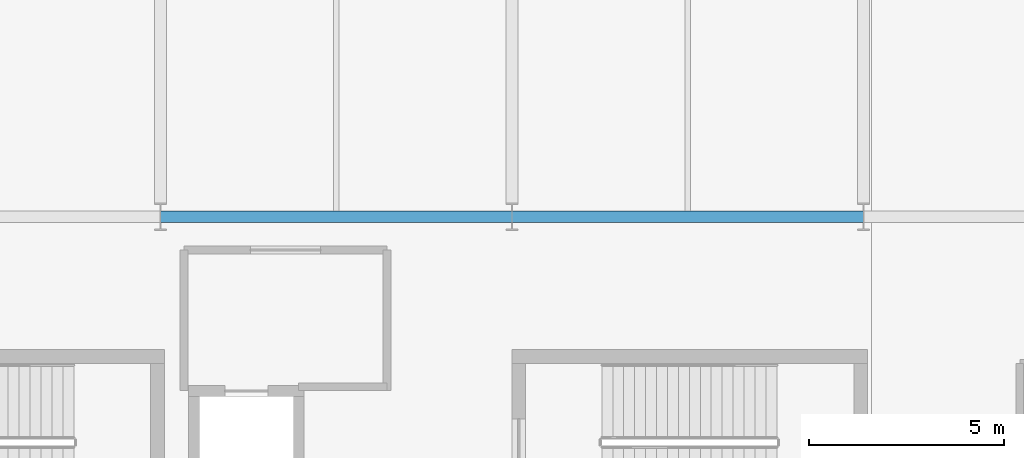
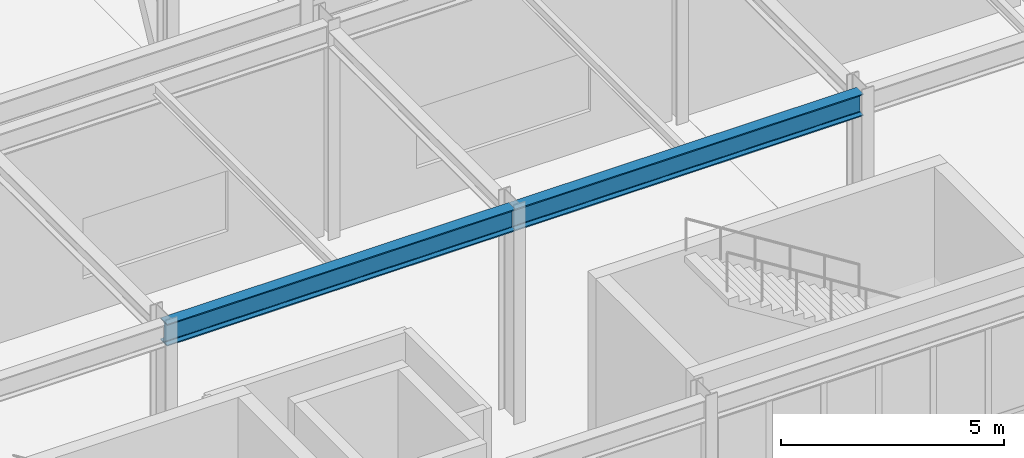
# One storey, part 62 of 146: 2 beams.
"""IFC4 building model written with IfcOpenShell, lengths in metres."""

from ifc_helpers import new_model, si_unit, direction, frame, origin, origin_2d, place, context, subcontext, project, spatial, i_section, extrude, material, material_profile, profile_set, type_object, element, save


model = new_model("IFC4")

# Units and contexts
model_context = context("Model", 3, precision=1e-05, world=origin(), true_north=direction((0.0, 1.0)))
body_context = subcontext(model_context, "Body", "Model", "MODEL_VIEW")
ifc_project = project(units=[si_unit("LENGTHUNIT", "METRE"), si_unit("AREAUNIT", "SQUARE_METRE"), si_unit("VOLUMEUNIT", "CUBIC_METRE"), si_unit("PLANEANGLEUNIT", "RADIAN"), si_unit("MASSUNIT", "GRAM", prefix="KILO")], contexts=[model_context])

# Site, building, storey
site_placement = place(None, origin())
site = spatial("IfcSite", under=ifc_project, at=site_placement, CompositionType="ELEMENT")
building_placement = place(site_placement, origin())
building = spatial("IfcBuilding", under=site, at=building_placement, Name="Kaldris Quays Convention Centre", CompositionType="ELEMENT")
storey_placement = place(building_placement, origin())
storey = spatial("IfcBuildingStorey", under=building, at=storey_placement, Name="L00", CompositionType="ELEMENT", Elevation=0.0)

# Beams
ifc_material = material(Name="Steel S355J2", Category="steel")
ifc_material_profile = material_profile(ifc_material, i_section(OverallWidth=0.300048828125, OverallDepth=0.60009765625, WebThickness=0.015380859375, FlangeThickness=0.030029296875, FilletRadius=0.027099609375, at=origin_2d()), Name="HEB 600")
ifc_profile_set = profile_set([ifc_material_profile], Name="Steel S355J2")
beam_type = type_object("IfcBeamType", Name="STRUCTURAL BEAM BM05", PredefinedType="BEAM", material=ifc_profile_set)
for number, where, z_axis, x_axis, name in (
    (1, (101.00244140625, 46.60009765625, 5.423095703125), (1.0, 0.0, 0.0), (0.0, 1.0, 0.0), "L00 Girder BM05 12"),
    (2, (110.00244140625, 46.60009765625, 5.423095703125), (1.0, 0.0, 0.0), (0.0, 1.0, 0.0), "L00 Girder BM05 13"),
):
    element("IfcBeam", number, at=place(storey_placement, frame(where, z_axis=z_axis, x_axis=x_axis)), inside=storey, type_object=beam_type, Name=name, PredefinedType="BEAM", context=body_context, shape_type="SweptSolid", body=[
        extrude(i_section(OverallWidth=0.300048828125, OverallDepth=0.60009765625, WebThickness=0.015380859375, FlangeThickness=0.030029296875, FilletRadius=0.027099609375, at=origin_2d()), origin(), (0.0, 0.0, 1.0), 8.9951171875),
    ])

save(model, "model.ifc")
